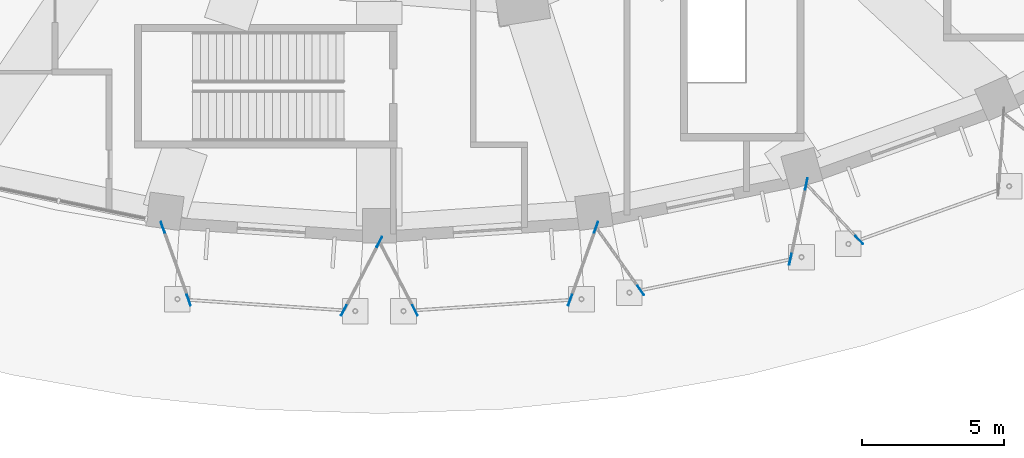
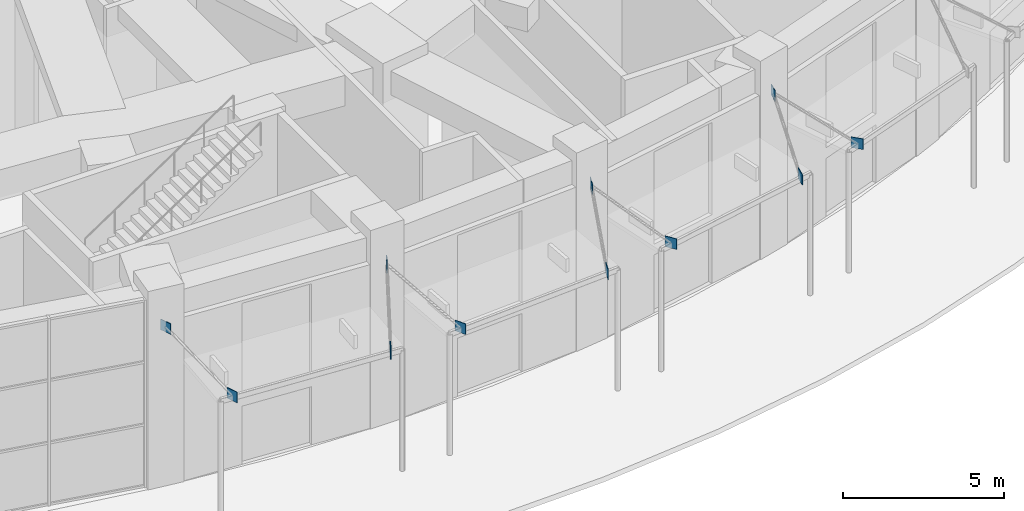
# One storey, part 45 of 60: 11 discrete accessories.
"""IFC4 building model written with IfcOpenShell, lengths in metres."""

from ifc_helpers import new_model, si_unit, direction, frame, origin, origin_2d, place, context, subcontext, project, spatial, rectangle, extrude, material, type_object, element, save


model = new_model("IFC4")

# Units and contexts
model_context = context("Model", 3, precision=1e-05, world=origin(), true_north=direction((0.0, 1.0)))
body_context = subcontext(model_context, "Body", "Model", "MODEL_VIEW")
ifc_project = project(units=[si_unit("LENGTHUNIT", "METRE"), si_unit("AREAUNIT", "SQUARE_METRE"), si_unit("VOLUMEUNIT", "CUBIC_METRE"), si_unit("PLANEANGLEUNIT", "RADIAN"), si_unit("MASSUNIT", "GRAM", prefix="KILO")], contexts=[model_context])

# Site, building, storey
site_placement = place(None, origin())
site = spatial("IfcSite", under=ifc_project, at=site_placement, CompositionType="ELEMENT")
building_placement = place(site_placement, origin())
building = spatial("IfcBuilding", under=site, at=building_placement, Name="Taillehof Tower", CompositionType="ELEMENT")
storey_placement = place(building_placement, origin())
storey = spatial("IfcBuildingStorey", under=building, at=storey_placement, Name="L00", CompositionType="ELEMENT", Elevation=0.0)

# Discrete accessories
ifc_material = material(Name="Steel S460M", Category="steel")
discrete_accessory_type = type_object("IfcDiscreteAccessoryType", Name="Steel gusset plate", PredefinedType="BRACKET", material=ifc_material)
for number, where, z_axis, x_axis, name in (
    (1, (-7.610107421875, -33.4599609375, 5.800048828125), (0.0, 0.0, 1.0), (-0.33761445077, 0.941284485494, 0.0), "Gusset plate 026"),
    (2, (-6.699951171875, -36.010009765625, 4.43994140625), (0.0, 0.0, 1.0), (-0.33761445077, 0.941284485494, 0.0), "Gusset plate 028"),
    (3, (-1.25, -36.3701171875, 4.43994140625), (0.0, 0.0, 1.0), (0.46066922805, 0.887571891357, 0.0), "Gusset plate 030"),
    (4, (0.0, -33.969970703125, 5.800048828125), (0.0, 0.0, 1.0), (0.46066922805, 0.887571891357, 0.0), "Gusset plate 032"),
    (5, (1.25, -36.3701171875, 4.43994140625), (0.0, 0.0, 1.0), (-0.46066922805, 0.887571891357, 0.0), "Gusset plate 034"),
    (6, (6.699951171875, -36.010009765625, 4.43994140625), (0.0, 0.0, 1.0), (0.33761445077, 0.941284485494, 0.0), "Gusset plate 036"),
    (7, (7.610107421875, -33.4599609375, 5.800048828125), (0.0, 0.0, 1.0), (0.33761445077, 0.941284485494, 0.0), "Gusset plate 038"),
    (8, (9.179931640625, -35.669921875, 4.43994140625), (0.0, 0.0, 1.0), (-0.576928522854, 0.816794637297, 0.0), "Gusset plate 040"),
    (9, (14.43994140625, -34.580078125, 4.43994140625), (0.0, 0.0, 1.0), (0.206887263232, 0.978364788978, 0.0), "Gusset plate 042"),
    (10, (15.0, -31.929931640625, 5.800048828125), (0.0, 0.0, 1.0), (0.206887263232, 0.978364788978, 0.0), "Gusset plate 044"),
    (11, (16.860107421875, -33.89990234375, 4.43994140625), (0.0, 0.0, 1.0), (-0.68625137069, 0.727364459006, 0.0), "Gusset plate 046"),
):
    element("IfcDiscreteAccessory", number, at=place(storey_placement, frame(where, z_axis=z_axis, x_axis=x_axis)), inside=storey, type_object=discrete_accessory_type, Name=name, PredefinedType="BRACKET", context=body_context, shape_type="SweptSolid", body=[
        extrude(rectangle(XDim=0.39990234375, YDim=0.02490234375, at=origin_2d()), origin(), (0.0, 0.0, 1.0), 0.39990234375),
    ])

save(model, "model.ifc")
